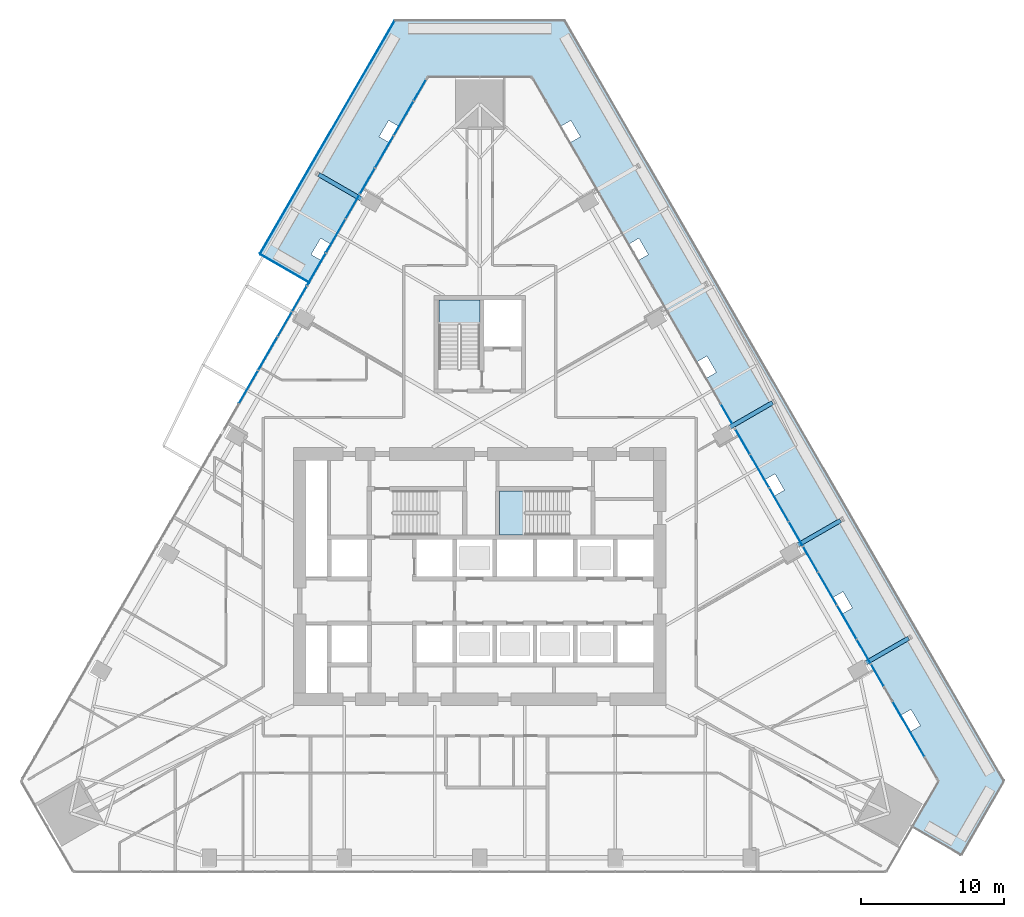
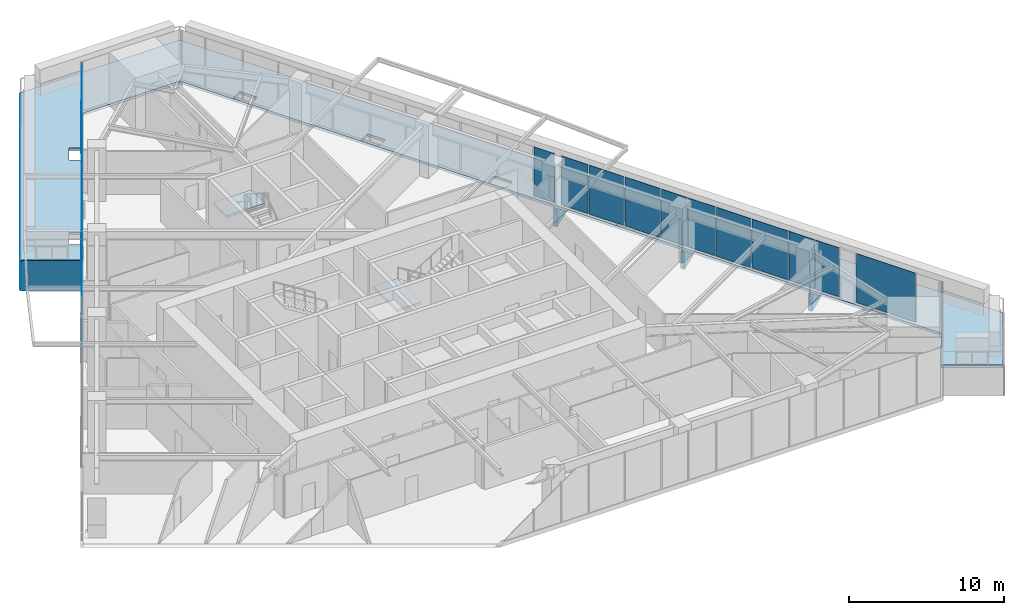
# One storey, part 16 of 29: 28 plates, 3 slabs, 4 elements without a shape of their own.
"""IFC4 building model written with IfcOpenShell, lengths in metres."""

from ifc_helpers import new_model, si_unit, direction, frame, origin, place, context, subcontext, project, spatial, polyline, outline, extrude, material, layer, layer_set, type_object, element, aggregate, save


model = new_model("IFC4")

# Units and contexts
model_context = context("Model", 3, precision=1e-05, world=origin(), true_north=direction((0.0, 1.0)))
body_context = subcontext(model_context, "Body", "Model", "MODEL_VIEW")
ifc_project = project(units=[si_unit("LENGTHUNIT", "METRE"), si_unit("AREAUNIT", "SQUARE_METRE"), si_unit("VOLUMEUNIT", "CUBIC_METRE"), si_unit("PLANEANGLEUNIT", "RADIAN"), si_unit("MASSUNIT", "GRAM", prefix="KILO")], contexts=[model_context])

# Site, building, storey
site_placement = place(None, origin())
site = spatial("IfcSite", under=ifc_project, at=site_placement, CompositionType="ELEMENT")
building_placement = place(site_placement, origin())
building = spatial("IfcBuilding", under=site, at=building_placement, Name="Firuza Gate Tower and Library", CompositionType="ELEMENT")
storey_placement = place(building_placement, frame((0.0, 0.0, 82.0)))
storey = spatial("IfcBuildingStorey", under=building, at=storey_placement, Name="L18", CompositionType="ELEMENT", Elevation=82.0)

# Curtain wall, plates
ifc_material_1 = material(Name="Aluminium 6063-T6", Category="aluminium")
ifc_layer_1 = layer(ifc_material_1, 0.14990234375)
ifc_layer_set_1 = layer_set([ifc_layer_1], Name="Unitised curtain wall, offices")
curtain_wall_type = type_object("IfcCurtainWallType", Name="Unitised curtain wall, offices", PredefinedType="NOTDEFINED", material=ifc_layer_set_1)
placement_1 = place(storey_placement, origin())
curtain_wall_1 = element("IfcCurtainWall", 1, at=placement_1, inside=storey, type_object=curtain_wall_type, Name="CW1 L18 E face", PredefinedType="NOTDEFINED")
ifc_material_2 = material(Name="Fritted glass", Category="glass")
ifc_layer_2 = layer(ifc_material_2, 0.030029296875)
ifc_layer_set_2 = layer_set([ifc_layer_2], Name="Fritted glass unit, offices")
plate_type_1 = type_object("IfcPlateType", Name="Fritted glass unit, offices", PredefinedType="CURTAIN_PANEL", material=ifc_layer_set_2)
plate_1_placement = place(storey_placement, frame((103.177978515625, 67.375732421875, 0.14990234375), z_axis=(0.866046247233, 0.49996389635, 0.0), x_axis=(-0.49996389635, 0.866046247233, 0.0)))
plate_1 = element("IfcPlate", 2, at=plate_1_placement, type_object=plate_type_1, Name="Glass unit", PredefinedType="CURTAIN_PANEL", context=body_context, shape_type="SweptSolid", body=[
    extrude(outline(polyline([(0.0, 0.0), (1.7506146884111984, 0.0), (1.7506146884111984, 3.85009765625), (0.0, 3.85009765625), (0.0, 0.0)])), origin(), (0.0, 0.0, -1.0), 0.030029296875),
])
plate_2_placement = place(storey_placement, frame((102.2626953125, 68.961181640625, 0.14990234375), z_axis=(0.866054227, 0.499950073403, 0.0), x_axis=(-0.499950073403, 0.866054227, 0.0)))
plate_2 = element("IfcPlate", 3, at=plate_2_placement, type_object=plate_type_1, Name="Glass unit", PredefinedType="CURTAIN_PANEL", context=body_context, shape_type="SweptSolid", body=[
    extrude(outline(polyline([(0.0, 0.0), (1.887883823729028, 0.0), (1.887883823729028, 3.85009765625), (0.0, 3.85009765625), (0.0, 0.0)])), origin(), (0.0, 0.0, -1.0), 0.030029296875),
])
plate_3_placement = place(storey_placement, frame((98.573486328125, 75.35107421875, 0.14990234375), z_axis=(0.866032532966, 0.499987651691, 0.0), x_axis=(-0.499987651691, 0.866032532966, 0.0)))
plate_3 = element("IfcPlate", 4, at=plate_3_placement, type_object=plate_type_1, Name="Glass unit", PredefinedType="CURTAIN_PANEL", context=body_context, shape_type="SweptSolid", body=[
    extrude(outline(polyline([(0.0, 0.0), (1.9922367015073577, 0.0), (1.9922367015073577, 3.85009765625), (0.0, 3.85009765625), (0.0, 0.0)])), origin(), (0.0, 0.0, -1.0), 0.030029296875),
])
plate_4_placement = place(storey_placement, frame((97.537353515625, 77.1455078125, 0.14990234375), z_axis=(0.866054481515, 0.499949632511, 0.0), x_axis=(-0.499949632511, 0.866054481515, 0.0)))
plate_4 = element("IfcPlate", 5, at=plate_4_placement, type_object=plate_type_1, Name="Glass unit", PredefinedType="CURTAIN_PANEL", context=body_context, shape_type="SweptSolid", body=[
    extrude(outline(polyline([(0.0, 0.0), (1.9225569499823523, 0.0), (1.9225569499823523, 3.85009765625), (0.0, 3.85009765625), (0.0, 0.0)])), origin(), (0.0, 0.0, -1.0), 0.030029296875),
])
plate_5_placement = place(storey_placement, frame((93.830810546875, 83.565673828125, 0.14990234375), z_axis=(0.866000715923, 0.500042758193, 0.0), x_axis=(-0.500042758193, 0.866000715923, 0.0)))
plate_5 = element("IfcPlate", 6, at=plate_5_placement, type_object=plate_type_1, Name="Glass unit", PredefinedType="CURTAIN_PANEL", context=body_context, shape_type="SweptSolid", body=[
    extrude(outline(polyline([(0.0, 0.0), (1.9573521455682314, 0.0), (1.9573521455682314, 3.85009765625), (0.0, 3.85009765625), (0.0, 0.0)])), origin(), (0.0, 0.0, -1.0), 0.030029296875),
])
plate_6_placement = place(storey_placement, frame((92.588623046875, 85.717041015625, 0.14990234375), z_axis=(0.866056390234, 0.499946326053, 0.0), x_axis=(-0.499946326053, 0.866056390234, 0.0)))
plate_6 = element("IfcPlate", 7, at=plate_6_placement, type_object=plate_type_1, Name="Glass unit", PredefinedType="CURTAIN_PANEL", context=body_context, shape_type="SweptSolid", body=[
    extrude(outline(polyline([(0.0, 0.0), (1.5104160462301448, 0.0), (1.5104160462301448, 3.85009765625), (0.0, 3.85009765625), (0.0, 0.0)])), origin(), (0.0, 0.0, -1.0), 0.030029296875),
])

curtain_wall_2 = element("IfcCurtainWall", 8, at=placement_1, inside=storey, type_object=curtain_wall_type, Name="CW1 L18 W face", PredefinedType="NOTDEFINED")
plate_7_placement = place(storey_placement, frame((71.23193359375, 109.655029296875, 0.14990234375), z_axis=(-0.866029728377, 0.499992509511, 0.0), x_axis=(-0.499992509511, -0.866029728377, 0.0)))
plate_7 = element("IfcPlate", 9, at=plate_7_placement, type_object=plate_type_1, Name="Glass unit", PredefinedType="CURTAIN_PANEL", context=body_context, shape_type="SweptSolid", body=[
    extrude(outline(polyline([(0.0, 0.0), (1.669458603873834, 0.0), (1.669458603873834, 3.850097656250001), (0.0, 3.850097656250001), (0.0, 0.0)])), origin(), (0.0, 0.0, -1.0), 0.030029296875),
])
plate_8_placement = place(storey_placement, frame((67.65185546875, 103.4541015625, 0.14990234375), z_axis=(-0.866003030001, 0.500038750527, 0.0), x_axis=(-0.500038750527, -0.866003030001, 0.0)))
plate_8 = element("IfcPlate", 10, at=plate_8_placement, type_object=plate_type_1, Name="Glass unit", PredefinedType="CURTAIN_PANEL", context=body_context, shape_type="SweptSolid", body=[
    extrude(outline(polyline([(0.0, 0.0), (2.026698397489447, 0.0), (2.026698397489447, 3.85009765625), (0.0, 3.85009765625), (0.0, 0.0)])), origin(), (0.0, 0.0, -1.0), 0.030029296875),
])
plate_9_placement = place(storey_placement, frame((66.598388671875, 101.629638671875, 0.14990234375), z_axis=(-0.866054227, 0.499950073403, 0.0), x_axis=(-0.499950073403, -0.866054227, 0.0)))
plate_9 = element("IfcPlate", 11, at=plate_9_placement, type_object=plate_type_1, Name="Glass unit", PredefinedType="CURTAIN_PANEL", context=body_context, shape_type="SweptSolid", body=[
    extrude(outline(polyline([(0.0, 0.0), (1.887883823729028, 0.0), (1.887883823729028, 3.85009765625), (0.0, 3.85009765625), (0.0, 0.0)])), origin(), (0.0, 0.0, -1.0), 0.030029296875),
])
plate_10_placement = place(storey_placement, frame((62.9091796875, 95.23974609375, 0.14990234375), z_axis=(-0.866032532966, 0.499987651691, 0.0), x_axis=(-0.499987651691, -0.866032532966, 0.0)))
plate_10 = element("IfcPlate", 12, at=plate_10_placement, type_object=plate_type_1, Name="Glass unit", PredefinedType="CURTAIN_PANEL", context=body_context, shape_type="SweptSolid", body=[
    extrude(outline(polyline([(0.0, 0.0), (1.9922367015073577, 0.0), (1.9922367015073577, 3.85009765625), (0.0, 3.85009765625), (0.0, 0.0)])), origin(), (0.0, 0.0, -1.0), 0.030029296875),
])
plate_11_placement = place(storey_placement, frame((61.873046875, 93.4453125, 0.14990234375), z_axis=(-0.866054481515, 0.499949632511, 0.0), x_axis=(-0.499949632511, -0.866054481515, 0.0)))
plate_11 = element("IfcPlate", 13, at=plate_11_placement, type_object=plate_type_1, Name="Glass unit", PredefinedType="CURTAIN_PANEL", context=body_context, shape_type="SweptSolid", body=[
    extrude(outline(polyline([(0.0, 0.0), (1.9225569499823523, 0.0), (1.9225569499823523, 3.85009765625), (0.0, 3.85009765625), (0.0, 0.0)])), origin(), (0.0, 0.0, -1.0), 0.030029296875),
])

# Plate
ifc_material_3 = material(Name="Glazed ceramic tile")
ifc_layer_3 = layer(ifc_material_3, 0.030029296875)
ifc_layer_set_3 = layer_set([ifc_layer_3], Name="Opaque ceramic panel, offices")
plate_type_2 = type_object("IfcPlateType", Name="Opaque ceramic panel, offices", PredefinedType="CURTAIN_PANEL", material=ifc_layer_set_3)
plate_12_placement = place(storey_placement, frame((106.021484375, 62.450927734375, 0.14990234375), z_axis=(0.866028748071, 0.499994207481, 0.0), x_axis=(-0.499994207481, 0.866028748071, 0.0)))
plate_12 = element("IfcPlate", 14, at=plate_12_placement, type_object=plate_type_2, Name="Opaque ceramic panel", PredefinedType="CURTAIN_PANEL", context=body_context, shape_type="SweptSolid", body=[
    extrude(outline(polyline([(0.0, 0.0), (4.40678933407278, 0.0), (4.40678933407278, 3.8500976562499996), (0.0, 3.8500976562499996), (0.0, 0.0)])), origin(), (0.0, 0.0, -1.0), 0.030029296875),
])

plate_13_placement = place(storey_placement, frame((101.27880859375, 70.665283203125, 0.14990234375), z_axis=(0.866051969105, 0.499953984692, 0.0), x_axis=(-0.499953984692, 0.866051969105, 0.0)))
plate_13 = element("IfcPlate", 15, at=plate_13_placement, type_object=plate_type_2, Name="Opaque ceramic panel", PredefinedType="CURTAIN_PANEL", context=body_context, shape_type="SweptSolid", body=[
    extrude(outline(polyline([(0.0, 0.0), (2.6774925050354534, 0.0), (2.6774925050354534, 3.85009765625), (0.0, 3.85009765625), (0.0, 0.0)])), origin(), (0.0, 0.0, -1.0), 0.030029296875),
])

plate_14_placement = place(storey_placement, frame((99.900146484375, 73.053466796875, 0.14990234375), z_axis=(0.866027591713, 0.499996210378, 0.0), x_axis=(-0.499996210378, 0.866027591713, 0.0)))
plate_14 = element("IfcPlate", 16, at=plate_14_placement, type_object=plate_type_2, Name="Opaque ceramic panel", PredefinedType="CURTAIN_PANEL", context=body_context, shape_type="SweptSolid", body=[
    extrude(outline(polyline([(0.0, 0.0), (2.5732616908801926, 0.0), (2.5732616908801926, 3.85009765625), (0.0, 3.85009765625), (0.0, 0.0)])), origin(), (0.0, 0.0, -1.0), 0.030029296875),
])

plate_15_placement = place(storey_placement, frame((96.5361328125, 78.8798828125, 0.14990234375), z_axis=(0.866028661061, 0.499994358189, 0.0), x_axis=(-0.499994358189, 0.866028661061, 0.0)))
plate_15 = element("IfcPlate", 17, at=plate_15_placement, type_object=plate_type_2, Name="Opaque ceramic panel", PredefinedType="CURTAIN_PANEL", context=body_context, shape_type="SweptSolid", body=[
    extrude(outline(polyline([(0.0, 0.0), (2.642607943189701, 0.0), (2.642607943189701, 3.85009765625), (0.0, 3.85009765625), (0.0, 0.0)])), origin(), (0.0, 0.0, -1.0), 0.030029296875),
])

plate_16_placement = place(storey_placement, frame((95.1748046875, 81.23779296875, 0.14990234375), z_axis=(0.866028133496, 0.499995271971, 0.0), x_axis=(-0.499995271971, 0.866028133496, 0.0)))
plate_16 = element("IfcPlate", 18, at=plate_16_placement, type_object=plate_type_2, Name="Opaque ceramic panel", PredefinedType="CURTAIN_PANEL", context=body_context, shape_type="SweptSolid", body=[
    extrude(outline(polyline([(0.0, 0.0), (2.607934817033456, 0.0), (2.607934817033456, 3.850097656250001), (0.0, 3.850097656250001), (0.0, 0.0)])), origin(), (0.0, 0.0, -1.0), 0.030029296875),
])

aggregate(curtain_wall_1, [plate_12, plate_1, plate_2, plate_13, plate_14, plate_3, plate_4, plate_15, plate_16, plate_5, plate_6])

plate_17_placement = place(storey_placement, frame((70.357177734375, 108.139892578125, 0.14990234375), z_axis=(-0.865990693744, 0.500060114735, 0.0), x_axis=(-0.500060114735, -0.865990693744, 0.0)))
plate_17 = element("IfcPlate", 19, at=plate_17_placement, type_object=plate_type_2, Name="Opaque ceramic panel", PredefinedType="CURTAIN_PANEL", context=body_context, shape_type="SweptSolid", body=[
    extrude(outline(polyline([(0.0, 0.0), (2.712076272258357, 0.0), (2.712076272258357, 3.850097656250001), (0.0, 3.850097656250001), (0.0, 0.0)])), origin(), (0.0, 0.0, -1.0), 0.030029296875),
])

plate_18_placement = place(storey_placement, frame((68.961181640625, 105.721923828125, 0.14990234375), z_axis=(-0.866027035129, 0.499997174418, 0.0), x_axis=(-0.499997174418, -0.866027035129, 0.0)))
plate_18 = element("IfcPlate", 20, at=plate_18_placement, type_object=plate_type_2, Name="Opaque ceramic panel", PredefinedType="CURTAIN_PANEL", context=body_context, shape_type="SweptSolid", body=[
    extrude(outline(polyline([(0.0, 0.0), (2.5385885647300332, 0.0), (2.5385885647300332, 3.85009765625), (0.0, 3.85009765625), (0.0, 0.0)])), origin(), (0.0, 0.0, -1.0), 0.030029296875),
])

plate_19_placement = place(storey_placement, frame((65.614501953125, 99.92529296875, 0.14990234375), z_axis=(-0.86602917496, 0.499993468075, 0.0), x_axis=(-0.499993468075, -0.86602917496, 0.0)))
plate_19 = element("IfcPlate", 21, at=plate_19_placement, type_object=plate_type_2, Name="Opaque ceramic panel", PredefinedType="CURTAIN_PANEL", context=body_context, shape_type="SweptSolid", body=[
    extrude(outline(polyline([(0.0, 0.0), (2.677281069348812, 0.0), (2.677281069348812, 3.85009765625), (0.0, 3.85009765625), (0.0, 0.0)])), origin(), (0.0, 0.0, -1.0), 0.030029296875),
])

plate_20_placement = place(storey_placement, frame((64.23583984375, 97.537353515625, 0.14990234375), z_axis=(-0.866027591713, 0.499996210378, 0.0), x_axis=(-0.499996210378, -0.866027591713, 0.0)))
plate_20 = element("IfcPlate", 22, at=plate_20_placement, type_object=plate_type_2, Name="Opaque ceramic panel", PredefinedType="CURTAIN_PANEL", context=body_context, shape_type="SweptSolid", body=[
    extrude(outline(polyline([(0.0, 0.0), (2.5732616908801926, 0.0), (2.5732616908801926, 3.85009765625), (0.0, 3.85009765625), (0.0, 0.0)])), origin(), (0.0, 0.0, -1.0), 0.030029296875),
])

plate_21_placement = place(storey_placement, frame((60.871826171875, 91.7109375, 0.14990234375), z_axis=(-0.866028661061, 0.499994358189, 0.0), x_axis=(-0.499994358189, -0.866028661061, 0.0)))
plate_21 = element("IfcPlate", 23, at=plate_21_placement, type_object=plate_type_2, Name="Opaque ceramic panel", PredefinedType="CURTAIN_PANEL", context=body_context, shape_type="SweptSolid", body=[
    extrude(outline(polyline([(0.0, 0.0), (2.642607943189701, 0.0), (2.642607943189701, 3.85009765625), (0.0, 3.85009765625), (0.0, 0.0)])), origin(), (0.0, 0.0, -1.0), 0.030029296875),
])

plate_22_placement = place(storey_placement, frame((59.510498046875, 89.35302734375, 0.14990234375), z_axis=(-0.866028133496, 0.499995271971, 0.0), x_axis=(-0.499995271971, -0.866028133496, 0.0)))
plate_22 = element("IfcPlate", 24, at=plate_22_placement, type_object=plate_type_2, Name="Opaque ceramic panel", PredefinedType="CURTAIN_PANEL", context=body_context, shape_type="SweptSolid", body=[
    extrude(outline(polyline([(0.0, 0.0), (2.607934817033456, 0.0), (2.607934817033456, 3.850097656250001), (0.0, 3.850097656250001), (0.0, 0.0)])), origin(), (0.0, 0.0, -1.0), 0.030029296875),
])

aggregate(curtain_wall_2, [plate_7, plate_17, plate_18, plate_8, plate_9, plate_19, plate_20, plate_10, plate_11, plate_21, plate_22])

# Slab
ifc_material_4 = material(Name="Concrete C40/50", Category="concrete")
ifc_layer_4 = layer(ifc_material_4, 0.199951171875)
ifc_layer_set_4 = layer_set([ifc_layer_4], Name="Planter tray slab 200 C40/50")
slab_type_1 = type_object("IfcSlabType", Name="Planter tray slab 200 C40/50", PredefinedType="FLOOR", material=ifc_layer_set_4)
slab_1_placement = place(storey_placement, frame((0.0, 0.0, -0.199951171875)))
element("IfcSlab", 25, at=slab_1_placement, inside=storey, type_object=slab_type_1, Name="Planter tray L18 band 2", PredefinedType="FLOOR", context=body_context, shape_type="SweptSolid", body=[
    extrude(outline(polyline([(105.1083984375, 57.616943359375), (108.572509765625, 55.616943359375), (111.52734375, 60.734619140625), (80.909423828125, 113.76611328125), (69.090576171875, 113.76611328125), (59.69970703125, 97.500732421875), (63.163818359375, 95.500732421875), (71.39990234375, 109.76611328125), (78.60009765625, 109.76611328125), (106.908447265625, 60.734619140625), (105.1083984375, 57.616943359375)]), holes=[polyline([(63.2998046875, 97.556396484375), (63.2998046875, 97.556396484375), (63.89990234375, 98.595703125), (64.635986328125, 98.170654296875), (64.579345703125, 98.072998046875), (64.579345703125, 98.072998046875), (63.9794921875, 97.03369140625), (63.243408203125, 97.458740234375), (63.2998046875, 97.556396484375)]), polyline([(68.642333984375, 106.810302734375), (69.378662109375, 106.38525390625), (68.778564453125, 105.345947265625), (68.778564453125, 105.345947265625), (68.72216796875, 105.248291015625), (67.986083984375, 105.67333984375), (68.5859375, 106.71240234375), (68.5859375, 106.71240234375), (68.642333984375, 106.810302734375)]), polyline([(104.934814453125, 64.2734375), (104.934814453125, 64.2734375), (104.334716796875, 65.312744140625), (105.07080078125, 65.73779296875), (105.127197265625, 65.639892578125), (105.127197265625, 65.639892578125), (105.727294921875, 64.6005859375), (104.9912109375, 64.17578125), (104.934814453125, 64.2734375)]), polyline([(100.24853515625, 72.39013671875), (99.6484375, 73.429443359375), (99.6484375, 73.429443359375), (99.592041015625, 73.527099609375), (100.328125, 73.9521484375), (100.92822265625, 72.9130859375), (100.92822265625, 72.9130859375), (100.984619140625, 72.815185546875), (100.24853515625, 72.39013671875)]), polyline([(94.849365234375, 81.74169921875), (95.58544921875, 82.166748046875), (95.64208984375, 82.06884765625), (95.64208984375, 82.06884765625), (96.241943359375, 81.02978515625), (95.505859375, 80.604736328125), (95.449462890625, 80.702392578125), (95.449462890625, 80.702392578125), (94.849365234375, 81.74169921875)]), polyline([(91.499267578125, 89.244140625), (90.76318359375, 88.8193359375), (90.706787109375, 88.9169921875), (90.706787109375, 88.9169921875), (90.106689453125, 89.956298828125), (90.8427734375, 90.38134765625), (90.8994140625, 90.283447265625), (90.8994140625, 90.283447265625), (91.499267578125, 89.244140625)]), polyline([(85.364013671875, 98.170654296875), (86.10009765625, 98.595703125), (86.7001953125, 97.556396484375), (86.7001953125, 97.556396484375), (86.756591796875, 97.458740234375), (86.0205078125, 97.03369140625), (85.420654296875, 98.072998046875), (85.420654296875, 98.072998046875), (85.364013671875, 98.170654296875)]), polyline([(81.221435546875, 105.345947265625), (80.621337890625, 106.38525390625), (81.357666015625, 106.810302734375), (81.4140625, 106.71240234375), (81.4140625, 106.71240234375), (82.013916015625, 105.67333984375), (81.27783203125, 105.248291015625), (81.221435546875, 105.345947265625), (81.221435546875, 105.345947265625)])]), origin(), (0.0, 0.0, 1.0), 0.199951171875),
])

# Stair, slab
ifc_material_5 = material(Name="Concrete C35/45", Category="concrete")
stair_type_1 = type_object("IfcStairType", Name="Exit stair ST5", PredefinedType="HALF_TURN_STAIR", material=ifc_material_5)
stair_1 = element("IfcStair", 26, at=placement_1, inside=storey, type_object=stair_type_1, Name="L18 Stair ST2", PredefinedType="HALF_TURN_STAIR")
ifc_material_6 = material(Name="Concrete C35/45", Category="concrete")
ifc_layer_5 = layer(ifc_material_6, 0.199951171875)
ifc_layer_set_5 = layer_set([ifc_layer_5], Name="Stair landing 200")
slab_type_2 = type_object("IfcSlabType", Name="Stair landing 200", PredefinedType="LANDING", material=ifc_layer_set_5)
placement_2 = place(storey_placement, frame((0.0, 0.0, 1.89990234375)))
slab_2 = element("IfcSlab", 27, at=placement_2, type_object=slab_type_2, Name="ST2 landing 1", PredefinedType="LANDING", context=body_context, shape_type="SweptSolid", body=[
    extrude(outline(polyline([(78.179931640625, 80.97998046875), (76.389892578125, 80.97998046875), (76.389892578125, 77.89990234375), (78.179931640625, 77.89990234375), (78.179931640625, 80.97998046875)])), origin(), (0.0, 0.0, 1.0), 0.2001953125),
])
aggregate(stair_1, [slab_2])

ifc_material_7 = material(Name="Concrete C35/45", Category="concrete")
stair_type_2 = type_object("IfcStairType", Name="Exit stair ST14", PredefinedType="HALF_TURN_STAIR", material=ifc_material_7)
stair_2 = element("IfcStair", 28, at=placement_1, inside=storey, type_object=stair_type_2, Name="L18 Stair ST3", PredefinedType="HALF_TURN_STAIR")
slab_3 = element("IfcSlab", 29, at=placement_2, type_object=slab_type_2, Name="ST3 landing 1", PredefinedType="LANDING", context=body_context, shape_type="SweptSolid", body=[
    extrude(outline(polyline([(75.0, 92.550048828125), (75.0, 94.300048828125), (72.159912109375, 94.300048828125), (72.159912109375, 92.550048828125), (75.0, 92.550048828125)])), origin(), (0.0, 0.0, 1.0), 0.2001953125),
])
aggregate(stair_2, [slab_3])

# Plates
ifc_material_8 = material(Name="Steel S355", Category="steel")
ifc_layer_6 = layer(ifc_material_8, 0.300048828125)
ifc_layer_set_6 = layer_set([ifc_layer_6], Name="Tray bracket web 300 Steel S355")
plate_type_3 = type_object("IfcPlateType", Name="Tray bracket web 300 Steel S355", PredefinedType="SHEET", material=ifc_layer_set_6)
plate_23_placement = place(storey_placement, frame((101.85888671875, 69.12109375, -0.199951171875), z_axis=(-0.49999768429, 0.866026740756, 0.0), x_axis=(0.866026740756, 0.49999768429, 0.0)))
element("IfcPlate", 30, at=plate_23_placement, inside=storey, type_object=plate_type_3, Name="Tray bracket web L18 col:L17:E1", PredefinedType="SHEET", context=body_context, shape_type="SweptSolid", body=[
    extrude(outline(polyline([(0.0, 0.0), (3.4297033843973885, 0.0), (0.0, 1.333984375), (0.0, 0.0)])), origin(), (0.0, 0.0, -1.0), 0.300048828125),
])
plate_24_placement = place(storey_placement, frame((97.115966796875, 77.3359375, -0.199951171875), z_axis=(-0.500081895979, 0.865978115955, 0.0), x_axis=(0.865978115955, 0.500081895979, 0.0)))
element("IfcPlate", 31, at=plate_24_placement, inside=storey, type_object=plate_type_3, Name="Tray bracket web L18 col:L17:E2", PredefinedType="SHEET", context=body_context, shape_type="SweptSolid", body=[
    extrude(outline(polyline([(0.0, 0.0), (3.429614038049955, 0.0), (0.0, 1.333984375), (0.0, 0.0)])), origin(), (0.0, 0.0, -1.0), 0.300048828125),
])
plate_25_placement = place(storey_placement, frame((92.373046875, 85.550048828125, -0.199951171875), z_axis=(-0.499905227862, 0.86608011359, 0.0), x_axis=(0.86608011359, 0.499905227862, 0.0)))
element("IfcPlate", 32, at=plate_25_placement, inside=storey, type_object=plate_type_3, Name="Tray bracket web L18 col:L17:E3", PredefinedType="SHEET", context=body_context, shape_type="SweptSolid", body=[
    extrude(outline(polyline([(0.0, 0.0), (3.4303377008741758, 0.0), (0.0, 1.333984375), (0.0, 0.0)])), origin(), (0.0, 0.0, -1.0), 0.300048828125),
])
plate_26_placement = place(storey_placement, frame((66.662109375, 101.199951171875, -0.199951171875), z_axis=(-0.499837493736, -0.866119206493, 0.0), x_axis=(-0.866119206493, 0.499837493736, 0.0)))
element("IfcPlate", 33, at=plate_26_placement, inside=storey, type_object=plate_type_3, Name="Tray bracket web L18 col:L17:W1", PredefinedType="SHEET", context=body_context, shape_type="SweptSolid", body=[
    extrude(outline(polyline([(0.0, 0.0), (3.4293372338163666, 0.0), (0.0, 1.333984375), (0.0, 0.0)])), origin(), (0.0, 0.0, -1.0), 0.300048828125),
])
ifc_material_9 = material(Name="Aluminium 6063-T6", Category="aluminium")
ifc_layer_7 = layer(ifc_material_9, 0.050048828125)
ifc_layer_set_7 = layer_set([ifc_layer_7], Name="Tray fascia panel 50")
plate_type_4 = type_object("IfcPlateType", Name="Tray fascia panel 50", PredefinedType="SHEET", material=ifc_layer_set_7)
plate_27_placement = place(storey_placement, frame((69.031982421875, 113.764892578125, -2.39990234375), z_axis=(-0.866012284085, 0.500022723297, 0.0), x_axis=(-0.500022723297, -0.866012284085, 0.0)))
element("IfcPlate", 34, at=plate_27_placement, inside=storey, type_object=plate_type_4, Name="Tray fascia L18 4", PredefinedType="SHEET", context=body_context, shape_type="SweptSolid", body=[
    extrude(outline(polyline([(0.0, 0.0), (18.721317148660642, 0.0), (18.721317148660642, 2.3999023437499996), (0.0, 2.3999023437499996), (0.0, 0.0)])), origin(), (0.0, 0.0, -1.0), 0.050048828125),
])
plate_28_placement = place(storey_placement, frame((59.700927734375, 97.44189453125, -2.39990234375), z_axis=(-0.49999779889, -0.866026674592, 0.0), x_axis=(0.866026674592, -0.49999779889, 0.0)))
element("IfcPlate", 35, at=plate_28_placement, inside=storey, type_object=plate_type_4, Name="Tray fascia L18 5", PredefinedType="SHEET", context=body_context, shape_type="SweptSolid", body=[
    extrude(outline(polyline([(0.0, 0.0), (3.9399587508162695, 0.0), (3.9399587508162695, 2.39990234375), (0.0, 2.39990234375), (0.0, 0.0)])), origin(), (0.0, 0.0, -1.0), 0.050048828125),
])

save(model, "model.ifc")
